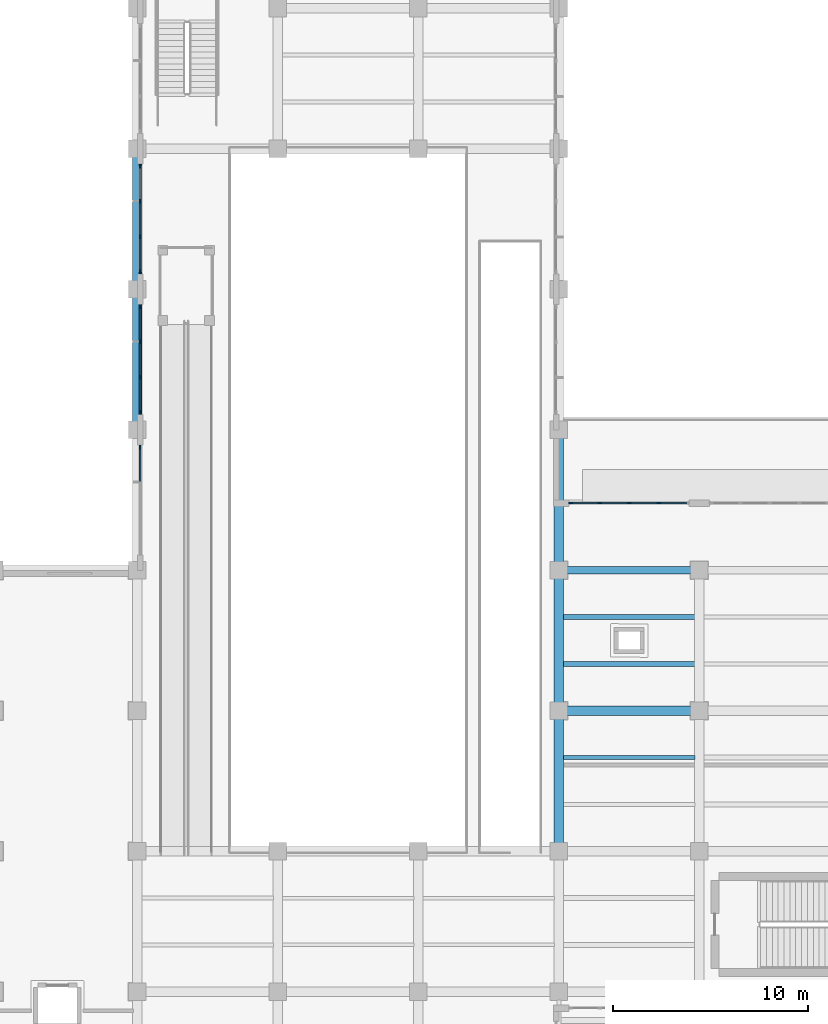
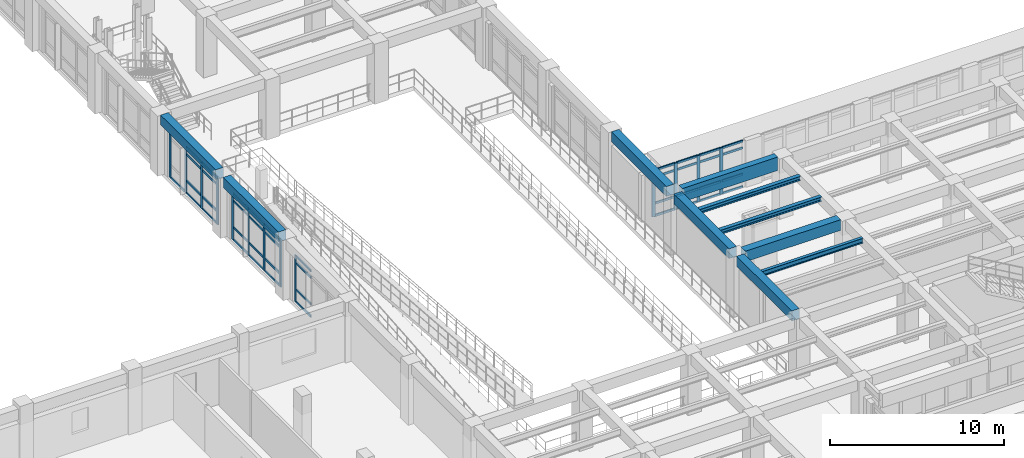
# One storey, part 7 of 69: 54 members, 10 beams, 4 elements without a shape of their own.
"""IFC4 building model written with IfcOpenShell, lengths in metres."""

from ifc_helpers import new_model, si_unit, direction, frame, origin, origin_2d, place, context, subcontext, project, spatial, rectangle, i_section, extrude, material, layer, layer_set, material_profile, profile_set, type_object, element, aggregate, save


model = new_model("IFC4")

# Units and contexts
model_context = context("Model", 3, precision=1e-05, world=origin(), true_north=direction((0.0, 1.0)))
body_context = subcontext(model_context, "Body", "Model", "MODEL_VIEW")
ifc_project = project(units=[si_unit("LENGTHUNIT", "METRE"), si_unit("AREAUNIT", "SQUARE_METRE"), si_unit("VOLUMEUNIT", "CUBIC_METRE"), si_unit("PLANEANGLEUNIT", "RADIAN"), si_unit("MASSUNIT", "GRAM", prefix="KILO")], contexts=[model_context])

# Site, building, storey
site_placement = place(None, origin())
site = spatial("IfcSite", under=ifc_project, at=site_placement, CompositionType="ELEMENT")
building_placement = place(site_placement, origin())
building = spatial("IfcBuilding", under=site, at=building_placement, Name="Solenvale Faculty of Natural Sciences", CompositionType="ELEMENT")
storey_placement = place(building_placement, frame((0.0, 0.0, 4.5)))
storey = spatial("IfcBuildingStorey", under=building, at=storey_placement, Name="L01", CompositionType="ELEMENT", Elevation=4.5)

# Beams
ifc_material_1 = material(Name="Concrete 40 MPa", Category="concrete")
ifc_material_profile_1 = material_profile(ifc_material_1, rectangle(XDim=0.5, YDim=0.699951171875, at=origin_2d()), Name="RC-BM-500x700")
ifc_profile_set_1 = profile_set([ifc_material_profile_1], Name="Concrete 40 MPa")
beam_type_1 = type_object("IfcBeamType", Name="BM-RC-500x700", PredefinedType="BEAM", material=ifc_profile_set_1)
beam_1_placement = place(storey_placement, frame((36.0, 50.830078125, 3.8701171875), z_axis=(0.0, 1.0, 0.0), x_axis=(-1.0, 0.0, 0.0)))
element("IfcBeam", 1, at=beam_1_placement, inside=storey, type_object=beam_type_1, Name="L01 Y-Girder X36.0 (50.4..57.6)", PredefinedType="BEAM", context=body_context, shape_type="SweptSolid", body=[
    extrude(rectangle(XDim=0.5, YDim=0.699951171875, at=origin_2d()), origin(), (0.0, 0.0, 1.0), 6.33984375),
])
for number, where, z_axis, x_axis, name in (
    (2, (36.0, 58.030029296875, 3.8701171875), (0.0, 1.0, 0.0), (-1.0, 0.0, 0.0), "L01 Y-Girder X36.0 (57.6..64.8)"),
    (3, (57.60009765625, 29.22998046875, 3.8701171875), (0.0, 1.0, 0.0), (-1.0, 0.0, 0.0), "L01 Y-Girder X57.6 (28.8..36.0)"),
    (4, (57.60009765625, 36.429931640625, 3.8701171875), (0.0, 1.0, 0.0), (-1.0, 0.0, 0.0), "L01 Y-Girder X57.6 (36.0..43.2)"),
    (5, (57.60009765625, 43.6298828125, 3.8701171875), (0.0, 1.0, 0.0), (-1.0, 0.0, 0.0), "L01 Y-Girder X57.6 (43.2..50.4)"),
):
    element("IfcBeam", number, at=place(storey_placement, frame(where, z_axis=z_axis, x_axis=x_axis)), inside=storey, type_object=beam_type_1, Name=name, PredefinedType="BEAM", context=body_context, shape_type="SweptSolid", body=[
        extrude(rectangle(XDim=0.5, YDim=0.699951171875, at=origin_2d()), origin(), (0.0, 0.0, 1.0), 6.340087890625),
    ])
ifc_material_profile_2 = material_profile(ifc_material_1, rectangle(XDim=0.5, YDim=0.75, at=origin_2d()), Name="RC-BM-500x750")
ifc_profile_set_2 = profile_set([ifc_material_profile_2], Name="Concrete 40 MPa")
beam_type_2 = type_object("IfcBeamType", Name="BM-RC-500x750", PredefinedType="BEAM", material=ifc_profile_set_2)
beam_2_placement = place(storey_placement, frame((58.030029296875, 36.0, 3.844970703125), z_axis=(1.0, 0.0, 0.0), x_axis=(0.0, 1.0, 0.0)))
element("IfcBeam", 6, at=beam_2_placement, inside=storey, type_object=beam_type_2, Name="L01 X-Girder Y36.0 (57.6..64.8)", PredefinedType="BEAM", context=body_context, shape_type="SweptSolid", body=[
    extrude(rectangle(XDim=0.5, YDim=0.75, at=origin_2d()), origin(), (0.0, 0.0, 1.0), 6.340087890625),
])
ifc_material_2 = material(Name="Architectural bronze concrete 40 MPa", Category="concrete")
ifc_material_profile_3 = material_profile(ifc_material_2, rectangle(XDim=0.39990234375, YDim=0.949951171875, at=origin_2d()), Name="RC-SPN-400x950")
ifc_profile_set_3 = profile_set([ifc_material_profile_3], Name="Architectural bronze concrete 40 MPa")
beam_type_3 = type_object("IfcBeamType", Name="BM-SPN-BRZ-950", PredefinedType="SPANDREL", material=ifc_profile_set_3)
beam_3_placement = place(storey_placement, frame((58.030029296875, 43.199951171875, 3.7451171875), z_axis=(1.0, 0.0, 0.0), x_axis=(0.0, 1.0, 0.0)))
element("IfcBeam", 7, at=beam_3_placement, inside=storey, type_object=beam_type_3, Name="L02 Sliding-Tray North Bronze Fascia 1", PredefinedType="SPANDREL", context=body_context, shape_type="SweptSolid", body=[
    extrude(rectangle(XDim=0.39990234375, YDim=0.949951171875, at=origin_2d()), origin(), (0.0, 0.0, 1.0), 6.340087890625),
])
ifc_material_3 = material(Name="Steel S355", Category="steel")
ifc_material_profile_4 = material_profile(ifc_material_3, i_section(OverallWidth=0.25390625, OverallDepth=0.305908203125, WebThickness=0.0087890625, FlangeThickness=0.0146484375, FilletRadius=0.014892578125, at=origin_2d()), Name="W310x79")
ifc_profile_set_4 = profile_set([ifc_material_profile_4], Name="Steel S355")
beam_type_4 = type_object("IfcBeamType", Name="BM-STL-W310x79", PredefinedType="JOIST", material=ifc_profile_set_4)
for number, where, z_axis, x_axis, name in (
    (8, (57.830078125, 38.39990234375, 4.06689453125), (1.0, 0.0, 0.0), (0.0, 1.0, 0.0), "L01 Composite Floor Joist (9,6).1"),
    (9, (57.830078125, 40.800048828125, 4.06689453125), (1.0, 0.0, 0.0), (0.0, 1.0, 0.0), "L01 Composite Floor Joist (9,6).2"),
):
    element("IfcBeam", number, at=place(storey_placement, frame(where, z_axis=z_axis, x_axis=x_axis)), inside=storey, type_object=beam_type_4, Name=name, PredefinedType="JOIST", context=body_context, shape_type="SweptSolid", body=[
        extrude(i_section(OverallWidth=0.25390625, OverallDepth=0.305908203125, WebThickness=0.0087890625, FlangeThickness=0.0146484375, FilletRadius=0.014892578125, at=origin_2d()), origin(), (0.0, 0.0, 1.0), 6.739990234375),
    ])
ifc_material_profile_5 = material_profile(ifc_material_3, i_section(OverallWidth=0.2041015625, OverallDepth=0.35009765625, WebThickness=0.008544921875, FlangeThickness=0.01513671875, FilletRadius=0.014892578125, at=origin_2d()), Name="W360x72")
ifc_profile_set_5 = profile_set([ifc_material_profile_5], Name="Steel S355")
beam_type_5 = type_object("IfcBeamType", Name="BM-STL-W360x72", PredefinedType="JOIST", material=ifc_profile_set_5)
beam_4_placement = place(storey_placement, frame((57.830078125, 33.60009765625, 4.044921875), z_axis=(1.0, 0.0, 0.0), x_axis=(0.0, 1.0, 0.0)))
element("IfcBeam", 10, at=beam_4_placement, inside=storey, type_object=beam_type_5, Name="L01 Composite Floor Joist (9,5).2", PredefinedType="JOIST", context=body_context, shape_type="SweptSolid", body=[
    extrude(i_section(OverallWidth=0.2041015625, OverallDepth=0.35009765625, WebThickness=0.008544921875, FlangeThickness=0.01513671875, FilletRadius=0.014892578125, at=origin_2d()), origin(), (0.0, 0.0, 1.0), 6.739990234375),
])

# Curtain wall, members
ifc_material_4 = material(Name="Anodised bronze aluminium", Category="aluminium")
ifc_layer_1 = layer(ifc_material_4, 0.18994140625)
ifc_layer_set_1 = layer_set([ifc_layer_1], Name="Anodised bronze aluminium")
curtain_wall_type_1 = type_object("IfcCurtainWallType", Name="CW-TRAY-REC", PredefinedType="USERDEFINED", material=ifc_layer_set_1)
curtain_wall_1_placement = place(storey_placement, origin())
curtain_wall_1 = element("IfcCurtainWall", 11, at=curtain_wall_1_placement, inside=storey, type_object=curtain_wall_type_1, Name="L01 Curtain Wall CW-L01-P1-E11-B8", ObjectType="UNITISED CURTAIN WALL", PredefinedType="USERDEFINED")
ifc_material_profile_6 = material_profile(ifc_material_4, rectangle(XDim=0.074951171875, YDim=0.2099609375, at=origin_2d()), Name="ALU-MUL-75x210")
ifc_profile_set_6 = profile_set([ifc_material_profile_6], Name="Anodised bronze aluminium")
member_type_1 = type_object("IfcMemberType", Name="CWM-ALU-75x210", PredefinedType="MULLION", material=ifc_profile_set_6)
member_1_placement = place(storey_placement, frame((62.7099609375, 46.637451171875, 0.0), z_axis=(0.0, 0.0, 1.0), x_axis=(0.0, -1.0, 0.0)))
member_1 = element("IfcMember", 12, at=member_1_placement, type_object=member_type_1, Name="CW-02 mullion 2", PredefinedType="MULLION", context=body_context, shape_type="SweptSolid", body=[
    extrude(rectangle(XDim=0.074951171875, YDim=0.2099609375, at=origin_2d()), origin(), (0.0, 0.0, 1.0), 3.260009765625),
])
member_2_placement = place(storey_placement, frame((61.199951171875, 46.637451171875, 0.0), z_axis=(0.0, 0.0, 1.0), x_axis=(0.0, -1.0, 0.0)))
member_2 = element("IfcMember", 13, at=member_2_placement, type_object=member_type_1, Name="CW-02 mullion 3", PredefinedType="MULLION", context=body_context, shape_type="SweptSolid", body=[
    extrude(rectangle(XDim=0.074951171875, YDim=0.2099609375, at=origin_2d()), origin(), (0.0, 0.0, 1.0), 3.260009765625),
])
member_3_placement = place(storey_placement, frame((59.68994140625, 46.637451171875, 0.0), z_axis=(0.0, 0.0, 1.0), x_axis=(0.0, -1.0, 0.0)))
member_3 = element("IfcMember", 14, at=member_3_placement, type_object=member_type_1, Name="CW-02 mullion 4", PredefinedType="MULLION", context=body_context, shape_type="SweptSolid", body=[
    extrude(rectangle(XDim=0.074951171875, YDim=0.2099609375, at=origin_2d()), origin(), (0.0, 0.0, 1.0), 3.260009765625),
])
member_4_placement = place(storey_placement, frame((58.217529296875, 46.637451171875, 0.0), z_axis=(0.0, 0.0, 1.0), x_axis=(0.0, -1.0, 0.0)))
member_4 = element("IfcMember", 15, at=member_4_placement, type_object=member_type_1, Name="CW-02 mullion 5", PredefinedType="MULLION", context=body_context, shape_type="SweptSolid", body=[
    extrude(rectangle(XDim=0.074951171875, YDim=0.2099609375, at=origin_2d()), origin(), (0.0, 0.0, 1.0), 3.260009765625),
])

ifc_layer_2 = layer(ifc_material_4, 0.215087890625)
ifc_layer_set_2 = layer_set([ifc_layer_2], Name="Anodised bronze aluminium")
curtain_wall_type_2 = type_object("IfcCurtainWallType", Name="CW-ATR-UNIT", PredefinedType="USERDEFINED", material=ifc_layer_set_2)
curtain_wall_2_placement = place(storey_placement, origin())
curtain_wall_2 = element("IfcCurtainWall", 16, at=curtain_wall_2_placement, inside=storey, type_object=curtain_wall_type_2, Name="L01 Curtain Wall CW-L01-P1-E14-B5", ObjectType="UNITISED CURTAIN WALL", PredefinedType="USERDEFINED")
member_5_placement = place(storey_placement, frame((36.142578125, 63.91259765625, 0.0), z_axis=(0.0, 0.0, 1.0), x_axis=(1.0, 0.0, 0.0)))
member_5 = element("IfcMember", 17, at=member_5_placement, type_object=member_type_1, Name="CW-01 mullion 1", PredefinedType="MULLION", context=body_context, shape_type="SweptSolid", body=[
    extrude(rectangle(XDim=0.074951171875, YDim=0.2099609375, at=origin_2d()), origin(), (0.0, 0.0, 1.0), 3.260009765625),
])
member_6_placement = place(storey_placement, frame((36.142578125, 62.11669921875, 0.0), z_axis=(0.0, 0.0, 1.0), x_axis=(1.0, 0.0, 0.0)))
member_6 = element("IfcMember", 18, at=member_6_placement, type_object=member_type_1, Name="CW-01 mullion 2", PredefinedType="MULLION", context=body_context, shape_type="SweptSolid", body=[
    extrude(rectangle(XDim=0.074951171875, YDim=0.2099609375, at=origin_2d()), origin(), (0.0, 0.0, 1.0), 3.260009765625),
])
member_7_placement = place(storey_placement, frame((36.142578125, 60.283447265625, 0.0), z_axis=(0.0, 0.0, 1.0), x_axis=(1.0, 0.0, 0.0)))
member_7 = element("IfcMember", 19, at=member_7_placement, type_object=member_type_1, Name="CW-01 mullion 3", PredefinedType="MULLION", context=body_context, shape_type="SweptSolid", body=[
    extrude(rectangle(XDim=0.074951171875, YDim=0.2099609375, at=origin_2d()), origin(), (0.0, 0.0, 1.0), 3.260009765625),
])
member_8_placement = place(storey_placement, frame((36.142578125, 58.487548828125, 0.0), z_axis=(0.0, 0.0, 1.0), x_axis=(1.0, 0.0, 0.0)))
member_8 = element("IfcMember", 20, at=member_8_placement, type_object=member_type_1, Name="CW-01 mullion 4", PredefinedType="MULLION", context=body_context, shape_type="SweptSolid", body=[
    extrude(rectangle(XDim=0.074951171875, YDim=0.2099609375, at=origin_2d()), origin(), (0.0, 0.0, 1.0), 3.260009765625),
])

curtain_wall_3_placement = place(storey_placement, origin())
curtain_wall_3 = element("IfcCurtainWall", 21, at=curtain_wall_3_placement, inside=storey, type_object=curtain_wall_type_2, Name="L01 Curtain Wall CW-L01-P1-E14-B6", ObjectType="UNITISED CURTAIN WALL", PredefinedType="USERDEFINED")
member_9_placement = place(storey_placement, frame((36.142578125, 56.71240234375, 0.0), z_axis=(0.0, 0.0, 1.0), x_axis=(1.0, 0.0, 0.0)))
member_9 = element("IfcMember", 22, at=member_9_placement, type_object=member_type_1, Name="CW-01 mullion 1", PredefinedType="MULLION", context=body_context, shape_type="SweptSolid", body=[
    extrude(rectangle(XDim=0.074951171875, YDim=0.2099609375, at=origin_2d()), origin(), (0.0, 0.0, 1.0), 3.260009765625),
])
member_10_placement = place(storey_placement, frame((36.142578125, 54.916748046875, 0.0), z_axis=(0.0, 0.0, 1.0), x_axis=(1.0, 0.0, 0.0)))
member_10 = element("IfcMember", 23, at=member_10_placement, type_object=member_type_1, Name="CW-01 mullion 2", PredefinedType="MULLION", context=body_context, shape_type="SweptSolid", body=[
    extrude(rectangle(XDim=0.074951171875, YDim=0.2099609375, at=origin_2d()), origin(), (0.0, 0.0, 1.0), 3.260009765625),
])
member_11_placement = place(storey_placement, frame((36.142578125, 53.083251953125, 0.0), z_axis=(0.0, 0.0, 1.0), x_axis=(1.0, 0.0, 0.0)))
member_11 = element("IfcMember", 24, at=member_11_placement, type_object=member_type_1, Name="CW-01 mullion 3", PredefinedType="MULLION", context=body_context, shape_type="SweptSolid", body=[
    extrude(rectangle(XDim=0.074951171875, YDim=0.2099609375, at=origin_2d()), origin(), (0.0, 0.0, 1.0), 3.260009765625),
])
member_12_placement = place(storey_placement, frame((36.142578125, 51.28759765625, 0.0), z_axis=(0.0, 0.0, 1.0), x_axis=(1.0, 0.0, 0.0)))
member_12 = element("IfcMember", 25, at=member_12_placement, type_object=member_type_1, Name="CW-01 mullion 4", PredefinedType="MULLION", context=body_context, shape_type="SweptSolid", body=[
    extrude(rectangle(XDim=0.074951171875, YDim=0.2099609375, at=origin_2d()), origin(), (0.0, 0.0, 1.0), 3.260009765625),
])

# Curtain wall, member
curtain_wall_4_placement = place(storey_placement, origin())
curtain_wall_4 = element("IfcCurtainWall", 26, at=curtain_wall_4_placement, inside=storey, type_object=curtain_wall_type_2, Name="L01 Curtain Wall CW-L01-P1-E14-B7", ObjectType="UNITISED CURTAIN WALL", PredefinedType="USERDEFINED")
member_13_placement = place(storey_placement, frame((36.142578125, 49.512451171875, 0.0), z_axis=(0.0, 0.0, 1.0), x_axis=(1.0, 0.0, 0.0)))
member_13 = element("IfcMember", 27, at=member_13_placement, type_object=member_type_1, Name="CW-01 mullion 1", PredefinedType="MULLION", context=body_context, shape_type="SweptSolid", body=[
    extrude(rectangle(XDim=0.074951171875, YDim=0.2099609375, at=origin_2d()), origin(), (0.0, 0.0, 1.0), 3.260009765625),
])

# Member
ifc_material_profile_7 = material_profile(ifc_material_4, rectangle(XDim=0.074951171875, YDim=0.155029296875, at=origin_2d()), Name="ALU-TRN-75x155")
ifc_profile_set_7 = profile_set([ifc_material_profile_7], Name="Anodised bronze aluminium")
member_type_2 = type_object("IfcMemberType", Name="CWT-ALU-75x155", PredefinedType="USERDEFINED", material=ifc_profile_set_7)
member_14_placement = place(storey_placement, frame((64.14501953125, 46.637451171875, 0.03759765625), z_axis=(-1.0, 0.0, 0.0), x_axis=(0.0, -1.0, 0.0)))
member_14 = element("IfcMember", 28, at=member_14_placement, type_object=member_type_2, Name="CW-02 transom 1.1", ObjectType="TRANSOM", PredefinedType="USERDEFINED", context=body_context, shape_type="SweptSolid", body=[
    extrude(rectangle(XDim=0.074951171875, YDim=0.155029296875, at=origin_2d()), origin(), (0.0, 0.0, 1.0), 1.3974609375),
])

member_15_placement = place(storey_placement, frame((64.14501953125, 46.637451171875, 0.89990234375), z_axis=(-1.0, 0.0, 0.0), x_axis=(0.0, -1.0, 0.0)))
member_15 = element("IfcMember", 29, at=member_15_placement, type_object=member_type_2, Name="CW-02 transom 1.2", ObjectType="TRANSOM", PredefinedType="USERDEFINED", context=body_context, shape_type="SweptSolid", body=[
    extrude(rectangle(XDim=0.074951171875, YDim=0.155029296875, at=origin_2d()), origin(), (0.0, 0.0, 1.0), 1.3974609375),
])

member_16_placement = place(storey_placement, frame((64.14501953125, 46.637451171875, 2.760009765625), z_axis=(-1.0, 0.0, 0.0), x_axis=(0.0, -1.0, 0.0)))
member_16 = element("IfcMember", 30, at=member_16_placement, type_object=member_type_2, Name="CW-02 transom 1.3", ObjectType="TRANSOM", PredefinedType="USERDEFINED", context=body_context, shape_type="SweptSolid", body=[
    extrude(rectangle(XDim=0.074951171875, YDim=0.155029296875, at=origin_2d()), origin(), (0.0, 0.0, 1.0), 1.3974609375),
])

member_17_placement = place(storey_placement, frame((64.14501953125, 46.637451171875, 3.222412109375), z_axis=(-1.0, 0.0, 0.0), x_axis=(0.0, -1.0, 0.0)))
member_17 = element("IfcMember", 31, at=member_17_placement, type_object=member_type_2, Name="CW-02 transom 1.4", ObjectType="TRANSOM", PredefinedType="USERDEFINED", context=body_context, shape_type="SweptSolid", body=[
    extrude(rectangle(XDim=0.074951171875, YDim=0.155029296875, at=origin_2d()), origin(), (0.0, 0.0, 1.0), 1.3974609375),
])

member_18_placement = place(storey_placement, frame((62.672607421875, 46.637451171875, 0.03759765625), z_axis=(-1.0, 0.0, 0.0), x_axis=(0.0, -1.0, 0.0)))
member_18 = element("IfcMember", 32, at=member_18_placement, type_object=member_type_2, Name="CW-02 transom 2.1", ObjectType="TRANSOM", PredefinedType="USERDEFINED", context=body_context, shape_type="SweptSolid", body=[
    extrude(rectangle(XDim=0.074951171875, YDim=0.155029296875, at=origin_2d()), origin(), (0.0, 0.0, 1.0), 1.43505859375),
])

member_19_placement = place(storey_placement, frame((62.672607421875, 46.637451171875, 0.89990234375), z_axis=(-1.0, 0.0, 0.0), x_axis=(0.0, -1.0, 0.0)))
member_19 = element("IfcMember", 33, at=member_19_placement, type_object=member_type_2, Name="CW-02 transom 2.2", ObjectType="TRANSOM", PredefinedType="USERDEFINED", context=body_context, shape_type="SweptSolid", body=[
    extrude(rectangle(XDim=0.074951171875, YDim=0.155029296875, at=origin_2d()), origin(), (0.0, 0.0, 1.0), 1.43505859375),
])

member_20_placement = place(storey_placement, frame((62.672607421875, 46.637451171875, 2.760009765625), z_axis=(-1.0, 0.0, 0.0), x_axis=(0.0, -1.0, 0.0)))
member_20 = element("IfcMember", 34, at=member_20_placement, type_object=member_type_2, Name="CW-02 transom 2.3", ObjectType="TRANSOM", PredefinedType="USERDEFINED", context=body_context, shape_type="SweptSolid", body=[
    extrude(rectangle(XDim=0.074951171875, YDim=0.155029296875, at=origin_2d()), origin(), (0.0, 0.0, 1.0), 1.43505859375),
])

member_21_placement = place(storey_placement, frame((62.672607421875, 46.637451171875, 3.222412109375), z_axis=(-1.0, 0.0, 0.0), x_axis=(0.0, -1.0, 0.0)))
member_21 = element("IfcMember", 35, at=member_21_placement, type_object=member_type_2, Name="CW-02 transom 2.4", ObjectType="TRANSOM", PredefinedType="USERDEFINED", context=body_context, shape_type="SweptSolid", body=[
    extrude(rectangle(XDim=0.074951171875, YDim=0.155029296875, at=origin_2d()), origin(), (0.0, 0.0, 1.0), 1.43505859375),
])

member_22_placement = place(storey_placement, frame((61.16259765625, 46.637451171875, 0.03759765625), z_axis=(-1.0, 0.0, 0.0), x_axis=(0.0, -1.0, 0.0)))
member_22 = element("IfcMember", 36, at=member_22_placement, type_object=member_type_2, Name="CW-02 transom 3.1", ObjectType="TRANSOM", PredefinedType="USERDEFINED", context=body_context, shape_type="SweptSolid", body=[
    extrude(rectangle(XDim=0.074951171875, YDim=0.155029296875, at=origin_2d()), origin(), (0.0, 0.0, 1.0), 1.43505859375),
])

member_23_placement = place(storey_placement, frame((61.16259765625, 46.637451171875, 0.89990234375), z_axis=(-1.0, 0.0, 0.0), x_axis=(0.0, -1.0, 0.0)))
member_23 = element("IfcMember", 37, at=member_23_placement, type_object=member_type_2, Name="CW-02 transom 3.2", ObjectType="TRANSOM", PredefinedType="USERDEFINED", context=body_context, shape_type="SweptSolid", body=[
    extrude(rectangle(XDim=0.074951171875, YDim=0.155029296875, at=origin_2d()), origin(), (0.0, 0.0, 1.0), 1.43505859375),
])

member_24_placement = place(storey_placement, frame((61.16259765625, 46.637451171875, 2.760009765625), z_axis=(-1.0, 0.0, 0.0), x_axis=(0.0, -1.0, 0.0)))
member_24 = element("IfcMember", 38, at=member_24_placement, type_object=member_type_2, Name="CW-02 transom 3.3", ObjectType="TRANSOM", PredefinedType="USERDEFINED", context=body_context, shape_type="SweptSolid", body=[
    extrude(rectangle(XDim=0.074951171875, YDim=0.155029296875, at=origin_2d()), origin(), (0.0, 0.0, 1.0), 1.43505859375),
])

member_25_placement = place(storey_placement, frame((61.16259765625, 46.637451171875, 3.222412109375), z_axis=(-1.0, 0.0, 0.0), x_axis=(0.0, -1.0, 0.0)))
member_25 = element("IfcMember", 39, at=member_25_placement, type_object=member_type_2, Name="CW-02 transom 3.4", ObjectType="TRANSOM", PredefinedType="USERDEFINED", context=body_context, shape_type="SweptSolid", body=[
    extrude(rectangle(XDim=0.074951171875, YDim=0.155029296875, at=origin_2d()), origin(), (0.0, 0.0, 1.0), 1.43505859375),
])

member_26_placement = place(storey_placement, frame((59.652587890625, 46.637451171875, 0.03759765625), z_axis=(-1.0, 0.0, 0.0), x_axis=(0.0, -1.0, 0.0)))
member_26 = element("IfcMember", 40, at=member_26_placement, type_object=member_type_2, Name="CW-02 transom 4.1", ObjectType="TRANSOM", PredefinedType="USERDEFINED", context=body_context, shape_type="SweptSolid", body=[
    extrude(rectangle(XDim=0.074951171875, YDim=0.155029296875, at=origin_2d()), origin(), (0.0, 0.0, 1.0), 1.397705078125),
])

member_27_placement = place(storey_placement, frame((59.652587890625, 46.637451171875, 0.89990234375), z_axis=(-1.0, 0.0, 0.0), x_axis=(0.0, -1.0, 0.0)))
member_27 = element("IfcMember", 41, at=member_27_placement, type_object=member_type_2, Name="CW-02 transom 4.2", ObjectType="TRANSOM", PredefinedType="USERDEFINED", context=body_context, shape_type="SweptSolid", body=[
    extrude(rectangle(XDim=0.074951171875, YDim=0.155029296875, at=origin_2d()), origin(), (0.0, 0.0, 1.0), 1.397705078125),
])

member_28_placement = place(storey_placement, frame((59.652587890625, 46.637451171875, 2.760009765625), z_axis=(-1.0, 0.0, 0.0), x_axis=(0.0, -1.0, 0.0)))
member_28 = element("IfcMember", 42, at=member_28_placement, type_object=member_type_2, Name="CW-02 transom 4.3", ObjectType="TRANSOM", PredefinedType="USERDEFINED", context=body_context, shape_type="SweptSolid", body=[
    extrude(rectangle(XDim=0.074951171875, YDim=0.155029296875, at=origin_2d()), origin(), (0.0, 0.0, 1.0), 1.397705078125),
])

member_29_placement = place(storey_placement, frame((59.652587890625, 46.637451171875, 3.222412109375), z_axis=(-1.0, 0.0, 0.0), x_axis=(0.0, -1.0, 0.0)))
member_29 = element("IfcMember", 43, at=member_29_placement, type_object=member_type_2, Name="CW-02 transom 4.4", ObjectType="TRANSOM", PredefinedType="USERDEFINED", context=body_context, shape_type="SweptSolid", body=[
    extrude(rectangle(XDim=0.074951171875, YDim=0.155029296875, at=origin_2d()), origin(), (0.0, 0.0, 1.0), 1.397705078125),
])

aggregate(curtain_wall_1, [member_1, member_2, member_3, member_4, member_14, member_15, member_16, member_17, member_18, member_19, member_20, member_21, member_22, member_23, member_24, member_25, member_26, member_27, member_28, member_29])

member_30_placement = place(storey_placement, frame((36.142578125, 63.875, 0.03759765625), z_axis=(0.0, -1.0, 0.0), x_axis=(1.0, 0.0, 0.0)))
member_30 = element("IfcMember", 44, at=member_30_placement, type_object=member_type_2, Name="CW-01 transom 1.1", ObjectType="TRANSOM", PredefinedType="USERDEFINED", context=body_context, shape_type="SweptSolid", body=[
    extrude(rectangle(XDim=0.074951171875, YDim=0.155029296875, at=origin_2d()), origin(), (0.0, 0.0, 1.0), 1.720947265625),
])

member_31_placement = place(storey_placement, frame((36.142578125, 62.0791015625, 0.03759765625), z_axis=(0.0, -1.0, 0.0), x_axis=(1.0, 0.0, 0.0)))
member_31 = element("IfcMember", 45, at=member_31_placement, type_object=member_type_2, Name="CW-01 transom 2.1", ObjectType="TRANSOM", PredefinedType="USERDEFINED", context=body_context, shape_type="SweptSolid", body=[
    extrude(rectangle(XDim=0.074951171875, YDim=0.155029296875, at=origin_2d()), origin(), (0.0, 0.0, 1.0), 1.75830078125),
])

member_32_placement = place(storey_placement, frame((36.142578125, 62.0791015625, 0.89990234375), z_axis=(0.0, -1.0, 0.0), x_axis=(1.0, 0.0, 0.0)))
member_32 = element("IfcMember", 46, at=member_32_placement, type_object=member_type_2, Name="CW-01 transom 2.2", ObjectType="TRANSOM", PredefinedType="USERDEFINED", context=body_context, shape_type="SweptSolid", body=[
    extrude(rectangle(XDim=0.074951171875, YDim=0.155029296875, at=origin_2d()), origin(), (0.0, 0.0, 1.0), 1.75830078125),
])

member_33_placement = place(storey_placement, frame((36.142578125, 62.0791015625, 2.760009765625), z_axis=(0.0, -1.0, 0.0), x_axis=(1.0, 0.0, 0.0)))
member_33 = element("IfcMember", 47, at=member_33_placement, type_object=member_type_2, Name="CW-01 transom 2.3", ObjectType="TRANSOM", PredefinedType="USERDEFINED", context=body_context, shape_type="SweptSolid", body=[
    extrude(rectangle(XDim=0.074951171875, YDim=0.155029296875, at=origin_2d()), origin(), (0.0, 0.0, 1.0), 1.75830078125),
])

member_34_placement = place(storey_placement, frame((36.142578125, 62.0791015625, 3.222412109375), z_axis=(0.0, -1.0, 0.0), x_axis=(1.0, 0.0, 0.0)))
member_34 = element("IfcMember", 48, at=member_34_placement, type_object=member_type_2, Name="CW-01 transom 2.4", ObjectType="TRANSOM", PredefinedType="USERDEFINED", context=body_context, shape_type="SweptSolid", body=[
    extrude(rectangle(XDim=0.074951171875, YDim=0.155029296875, at=origin_2d()), origin(), (0.0, 0.0, 1.0), 1.75830078125),
])

member_35_placement = place(storey_placement, frame((36.142578125, 60.245849609375, 0.03759765625), z_axis=(0.0, -1.0, 0.0), x_axis=(1.0, 0.0, 0.0)))
member_35 = element("IfcMember", 49, at=member_35_placement, type_object=member_type_2, Name="CW-01 transom 3.1", ObjectType="TRANSOM", PredefinedType="USERDEFINED", context=body_context, shape_type="SweptSolid", body=[
    extrude(rectangle(XDim=0.074951171875, YDim=0.155029296875, at=origin_2d()), origin(), (0.0, 0.0, 1.0), 1.720947265625),
])

member_36_placement = place(storey_placement, frame((36.142578125, 60.245849609375, 0.89990234375), z_axis=(0.0, -1.0, 0.0), x_axis=(1.0, 0.0, 0.0)))
member_36 = element("IfcMember", 50, at=member_36_placement, type_object=member_type_2, Name="CW-01 transom 3.2", ObjectType="TRANSOM", PredefinedType="USERDEFINED", context=body_context, shape_type="SweptSolid", body=[
    extrude(rectangle(XDim=0.074951171875, YDim=0.155029296875, at=origin_2d()), origin(), (0.0, 0.0, 1.0), 1.720947265625),
])

member_37_placement = place(storey_placement, frame((36.142578125, 60.245849609375, 2.760009765625), z_axis=(0.0, -1.0, 0.0), x_axis=(1.0, 0.0, 0.0)))
member_37 = element("IfcMember", 51, at=member_37_placement, type_object=member_type_2, Name="CW-01 transom 3.3", ObjectType="TRANSOM", PredefinedType="USERDEFINED", context=body_context, shape_type="SweptSolid", body=[
    extrude(rectangle(XDim=0.074951171875, YDim=0.155029296875, at=origin_2d()), origin(), (0.0, 0.0, 1.0), 1.720947265625),
])

member_38_placement = place(storey_placement, frame((36.142578125, 60.245849609375, 3.222412109375), z_axis=(0.0, -1.0, 0.0), x_axis=(1.0, 0.0, 0.0)))
member_38 = element("IfcMember", 52, at=member_38_placement, type_object=member_type_2, Name="CW-01 transom 3.4", ObjectType="TRANSOM", PredefinedType="USERDEFINED", context=body_context, shape_type="SweptSolid", body=[
    extrude(rectangle(XDim=0.074951171875, YDim=0.155029296875, at=origin_2d()), origin(), (0.0, 0.0, 1.0), 1.720947265625),
])

aggregate(curtain_wall_2, [member_5, member_6, member_7, member_8, member_30, member_31, member_32, member_33, member_34, member_35, member_36, member_37, member_38])

member_39_placement = place(storey_placement, frame((36.142578125, 56.675048828125, 0.03759765625), z_axis=(0.0, -1.0, 0.0), x_axis=(1.0, 0.0, 0.0)))
member_39 = element("IfcMember", 53, at=member_39_placement, type_object=member_type_2, Name="CW-01 transom 1.1", ObjectType="TRANSOM", PredefinedType="USERDEFINED", context=body_context, shape_type="SweptSolid", body=[
    extrude(rectangle(XDim=0.074951171875, YDim=0.155029296875, at=origin_2d()), origin(), (0.0, 0.0, 1.0), 1.720947265625),
])

member_40_placement = place(storey_placement, frame((36.142578125, 56.675048828125, 0.89990234375), z_axis=(0.0, -1.0, 0.0), x_axis=(1.0, 0.0, 0.0)))
member_40 = element("IfcMember", 54, at=member_40_placement, type_object=member_type_2, Name="CW-01 transom 1.2", ObjectType="TRANSOM", PredefinedType="USERDEFINED", context=body_context, shape_type="SweptSolid", body=[
    extrude(rectangle(XDim=0.074951171875, YDim=0.155029296875, at=origin_2d()), origin(), (0.0, 0.0, 1.0), 1.720947265625),
])

member_41_placement = place(storey_placement, frame((36.142578125, 56.675048828125, 2.760009765625), z_axis=(0.0, -1.0, 0.0), x_axis=(1.0, 0.0, 0.0)))
member_41 = element("IfcMember", 55, at=member_41_placement, type_object=member_type_2, Name="CW-01 transom 1.3", ObjectType="TRANSOM", PredefinedType="USERDEFINED", context=body_context, shape_type="SweptSolid", body=[
    extrude(rectangle(XDim=0.074951171875, YDim=0.155029296875, at=origin_2d()), origin(), (0.0, 0.0, 1.0), 1.720947265625),
])

member_42_placement = place(storey_placement, frame((36.142578125, 56.675048828125, 3.222412109375), z_axis=(0.0, -1.0, 0.0), x_axis=(1.0, 0.0, 0.0)))
member_42 = element("IfcMember", 56, at=member_42_placement, type_object=member_type_2, Name="CW-01 transom 1.4", ObjectType="TRANSOM", PredefinedType="USERDEFINED", context=body_context, shape_type="SweptSolid", body=[
    extrude(rectangle(XDim=0.074951171875, YDim=0.155029296875, at=origin_2d()), origin(), (0.0, 0.0, 1.0), 1.720947265625),
])

member_43_placement = place(storey_placement, frame((36.142578125, 54.879150390625, 0.03759765625), z_axis=(0.0, -1.0, 0.0), x_axis=(1.0, 0.0, 0.0)))
member_43 = element("IfcMember", 57, at=member_43_placement, type_object=member_type_2, Name="CW-01 transom 2.1", ObjectType="TRANSOM", PredefinedType="USERDEFINED", context=body_context, shape_type="SweptSolid", body=[
    extrude(rectangle(XDim=0.074951171875, YDim=0.155029296875, at=origin_2d()), origin(), (0.0, 0.0, 1.0), 1.75830078125),
])

member_44_placement = place(storey_placement, frame((36.142578125, 54.879150390625, 0.89990234375), z_axis=(0.0, -1.0, 0.0), x_axis=(1.0, 0.0, 0.0)))
member_44 = element("IfcMember", 58, at=member_44_placement, type_object=member_type_2, Name="CW-01 transom 2.2", ObjectType="TRANSOM", PredefinedType="USERDEFINED", context=body_context, shape_type="SweptSolid", body=[
    extrude(rectangle(XDim=0.074951171875, YDim=0.155029296875, at=origin_2d()), origin(), (0.0, 0.0, 1.0), 1.75830078125),
])

member_45_placement = place(storey_placement, frame((36.142578125, 54.879150390625, 2.760009765625), z_axis=(0.0, -1.0, 0.0), x_axis=(1.0, 0.0, 0.0)))
member_45 = element("IfcMember", 59, at=member_45_placement, type_object=member_type_2, Name="CW-01 transom 2.3", ObjectType="TRANSOM", PredefinedType="USERDEFINED", context=body_context, shape_type="SweptSolid", body=[
    extrude(rectangle(XDim=0.074951171875, YDim=0.155029296875, at=origin_2d()), origin(), (0.0, 0.0, 1.0), 1.75830078125),
])

member_46_placement = place(storey_placement, frame((36.142578125, 54.879150390625, 3.222412109375), z_axis=(0.0, -1.0, 0.0), x_axis=(1.0, 0.0, 0.0)))
member_46 = element("IfcMember", 60, at=member_46_placement, type_object=member_type_2, Name="CW-01 transom 2.4", ObjectType="TRANSOM", PredefinedType="USERDEFINED", context=body_context, shape_type="SweptSolid", body=[
    extrude(rectangle(XDim=0.074951171875, YDim=0.155029296875, at=origin_2d()), origin(), (0.0, 0.0, 1.0), 1.75830078125),
])

member_47_placement = place(storey_placement, frame((36.142578125, 53.0458984375, 0.03759765625), z_axis=(0.0, -1.0, 0.0), x_axis=(1.0, 0.0, 0.0)))
member_47 = element("IfcMember", 61, at=member_47_placement, type_object=member_type_2, Name="CW-01 transom 3.1", ObjectType="TRANSOM", PredefinedType="USERDEFINED", context=body_context, shape_type="SweptSolid", body=[
    extrude(rectangle(XDim=0.074951171875, YDim=0.155029296875, at=origin_2d()), origin(), (0.0, 0.0, 1.0), 1.720947265625),
])

member_48_placement = place(storey_placement, frame((36.142578125, 53.0458984375, 0.89990234375), z_axis=(0.0, -1.0, 0.0), x_axis=(1.0, 0.0, 0.0)))
member_48 = element("IfcMember", 62, at=member_48_placement, type_object=member_type_2, Name="CW-01 transom 3.2", ObjectType="TRANSOM", PredefinedType="USERDEFINED", context=body_context, shape_type="SweptSolid", body=[
    extrude(rectangle(XDim=0.074951171875, YDim=0.155029296875, at=origin_2d()), origin(), (0.0, 0.0, 1.0), 1.720947265625),
])

member_49_placement = place(storey_placement, frame((36.142578125, 53.0458984375, 2.760009765625), z_axis=(0.0, -1.0, 0.0), x_axis=(1.0, 0.0, 0.0)))
member_49 = element("IfcMember", 63, at=member_49_placement, type_object=member_type_2, Name="CW-01 transom 3.3", ObjectType="TRANSOM", PredefinedType="USERDEFINED", context=body_context, shape_type="SweptSolid", body=[
    extrude(rectangle(XDim=0.074951171875, YDim=0.155029296875, at=origin_2d()), origin(), (0.0, 0.0, 1.0), 1.720947265625),
])

member_50_placement = place(storey_placement, frame((36.142578125, 53.0458984375, 3.222412109375), z_axis=(0.0, -1.0, 0.0), x_axis=(1.0, 0.0, 0.0)))
member_50 = element("IfcMember", 64, at=member_50_placement, type_object=member_type_2, Name="CW-01 transom 3.4", ObjectType="TRANSOM", PredefinedType="USERDEFINED", context=body_context, shape_type="SweptSolid", body=[
    extrude(rectangle(XDim=0.074951171875, YDim=0.155029296875, at=origin_2d()), origin(), (0.0, 0.0, 1.0), 1.720947265625),
])

aggregate(curtain_wall_3, [member_9, member_10, member_11, member_12, member_39, member_40, member_41, member_42, member_43, member_44, member_45, member_46, member_47, member_48, member_49, member_50])

member_51_placement = place(storey_placement, frame((36.142578125, 49.47509765625, 0.03759765625), z_axis=(0.0, -1.0, 0.0), x_axis=(1.0, 0.0, 0.0)))
member_51 = element("IfcMember", 65, at=member_51_placement, type_object=member_type_2, Name="CW-01 transom 1.1", ObjectType="TRANSOM", PredefinedType="USERDEFINED", context=body_context, shape_type="SweptSolid", body=[
    extrude(rectangle(XDim=0.074951171875, YDim=0.155029296875, at=origin_2d()), origin(), (0.0, 0.0, 1.0), 1.720947265625),
])

member_52_placement = place(storey_placement, frame((36.142578125, 49.47509765625, 0.89990234375), z_axis=(0.0, -1.0, 0.0), x_axis=(1.0, 0.0, 0.0)))
member_52 = element("IfcMember", 66, at=member_52_placement, type_object=member_type_2, Name="CW-01 transom 1.2", ObjectType="TRANSOM", PredefinedType="USERDEFINED", context=body_context, shape_type="SweptSolid", body=[
    extrude(rectangle(XDim=0.074951171875, YDim=0.155029296875, at=origin_2d()), origin(), (0.0, 0.0, 1.0), 1.720947265625),
])

member_53_placement = place(storey_placement, frame((36.142578125, 49.47509765625, 2.760009765625), z_axis=(0.0, -1.0, 0.0), x_axis=(1.0, 0.0, 0.0)))
member_53 = element("IfcMember", 67, at=member_53_placement, type_object=member_type_2, Name="CW-01 transom 1.3", ObjectType="TRANSOM", PredefinedType="USERDEFINED", context=body_context, shape_type="SweptSolid", body=[
    extrude(rectangle(XDim=0.074951171875, YDim=0.155029296875, at=origin_2d()), origin(), (0.0, 0.0, 1.0), 1.720947265625),
])

member_54_placement = place(storey_placement, frame((36.142578125, 49.47509765625, 3.222412109375), z_axis=(0.0, -1.0, 0.0), x_axis=(1.0, 0.0, 0.0)))
member_54 = element("IfcMember", 68, at=member_54_placement, type_object=member_type_2, Name="CW-01 transom 1.4", ObjectType="TRANSOM", PredefinedType="USERDEFINED", context=body_context, shape_type="SweptSolid", body=[
    extrude(rectangle(XDim=0.074951171875, YDim=0.155029296875, at=origin_2d()), origin(), (0.0, 0.0, 1.0), 1.720947265625),
])

aggregate(curtain_wall_4, [member_13, member_51, member_52, member_53, member_54])

save(model, "model.ifc")
